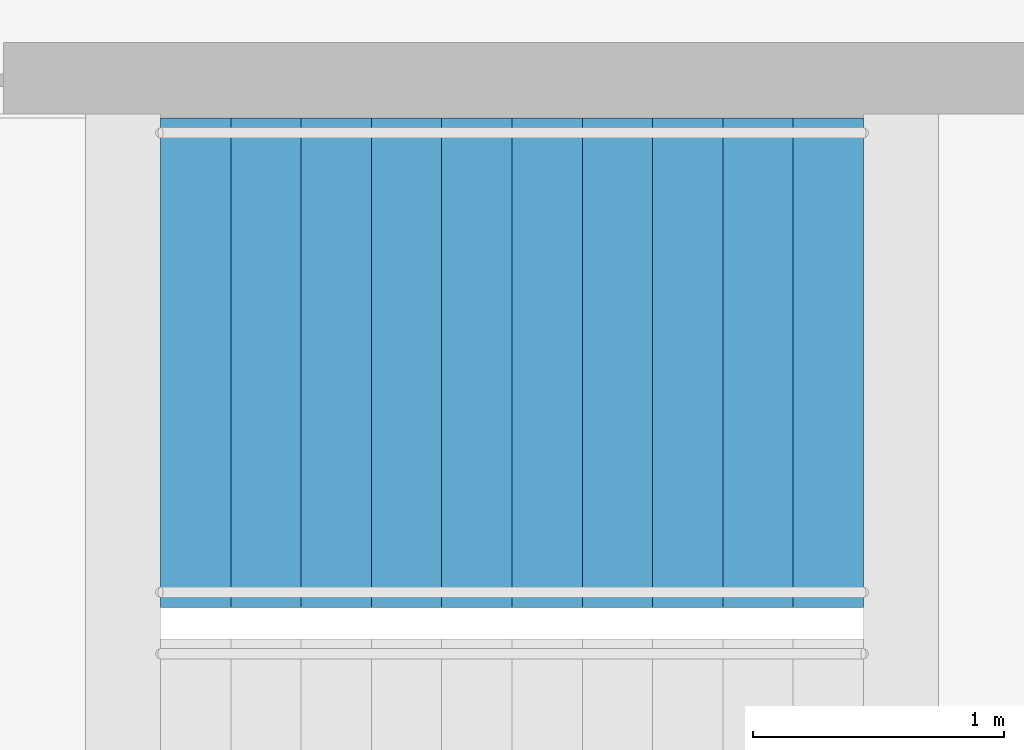
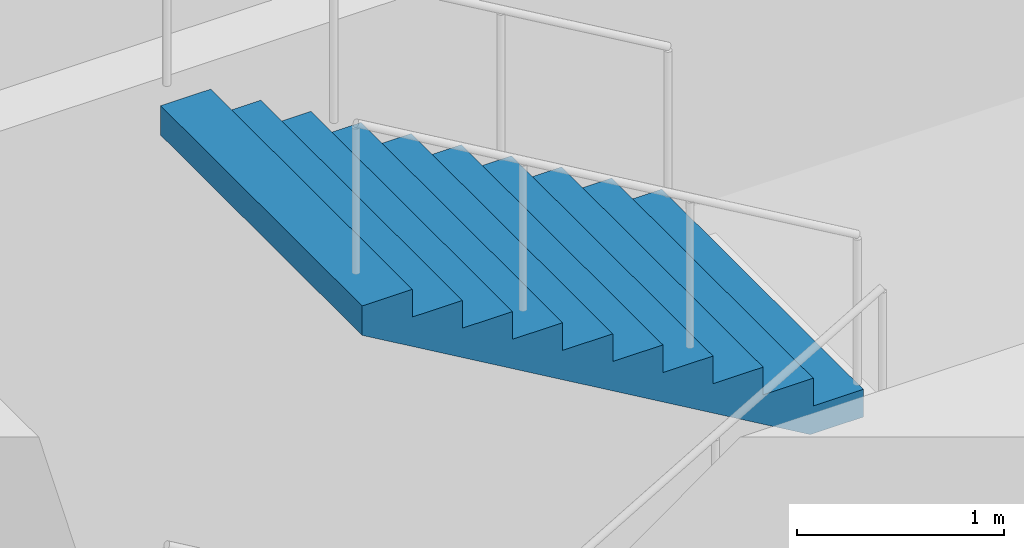
# One storey, part 17 of 22: 1 stair flight, 1 element without a shape of its own.
"""IFC4 building model written with IfcOpenShell, lengths in metres."""

from ifc_helpers import new_model, si_unit, direction, frame, origin, place, context, subcontext, project, spatial, triangles, material, type_object, element, aggregate, save


model = new_model("IFC4")

# Units and contexts
model_context = context("Model", 3, precision=1e-05, world=origin(), true_north=direction((0.0, 1.0)))
body_context = subcontext(model_context, "Body", "Model", "MODEL_VIEW")
ifc_project = project(units=[si_unit("LENGTHUNIT", "METRE"), si_unit("AREAUNIT", "SQUARE_METRE"), si_unit("VOLUMEUNIT", "CUBIC_METRE"), si_unit("PLANEANGLEUNIT", "RADIAN"), si_unit("MASSUNIT", "GRAM", prefix="KILO")], contexts=[model_context])

# Site, building, storey
site_placement = place(None, origin())
site = spatial("IfcSite", under=ifc_project, at=site_placement, CompositionType="ELEMENT")
building_placement = place(site_placement, origin())
building = spatial("IfcBuilding", under=site, at=building_placement, Name="Orbita Commons", CompositionType="ELEMENT")
storey_placement = place(building_placement, frame((0.0, 0.0, 201.10009765625)))
storey = spatial("IfcBuildingStorey", under=building, at=storey_placement, Name="L50", CompositionType="ELEMENT", Elevation=201.10009765625)

# Stair, stair flight
ifc_material_1 = material(Name="Precast concrete C40/50", Category="concrete")
stair_type = type_object("IfcStairType", Name="Exit stair S1 4 flights 11 risers 164", PredefinedType="HALF_TURN_STAIR", material=ifc_material_1)
stair_placement = place(storey_placement, origin())
stair = element("IfcStair", 1, at=stair_placement, inside=storey, type_object=stair_type, Name="Exit stair S1 L50", PredefinedType="HALF_TURN_STAIR")
ifc_material_2 = material(Name="Precast concrete C40/50", Category="concrete")
stair_flight_type = type_object("IfcStairFlightType", Name="Stair flight 11 risers 164 x 280", PredefinedType="STRAIGHT", material=ifc_material_2)
stair_flight_placement = place(storey_placement, frame((23.25, 29.27490234375, 5.39990234375), z_axis=(0.0, 0.0, 1.0), x_axis=(-1.0, 0.0, 0.0)))
stair_flight = element("IfcStairFlight", 2, at=stair_flight_placement, type_object=stair_flight_type, Name="S1 flight 4", NumberOfRisers=11, NumberOfTreads=10, PredefinedType="STRAIGHT", RiserHeight=0.163636364, TreadLength=0.28, context=body_context, shape_type="Tessellation", body=[
    triangles([(0.0, 0.974976, 0.0), (0.0, 0.974976, 0.020455), (0.0, 0.81248, 0.020455), (0.0, 0.81248, 0.0), (0.0, 0.649984, 0.020455), (0.0, 0.649984, 0.0), (0.0, 0.487488, 0.020455), (0.0, 0.487488, 0.0), (0.0, 0.324992, 0.020455), (0.0, 0.324992, 0.0), (0.0, 0.162496, 0.020455), (0.0, 0.162496, 0.0), (0.0, 0.0, 0.020455), (0.0, 0.0, 0.0), (0.0, -0.162496, 0.020455), (0.0, -0.162496, 0.0), (0.0, -0.324992, 0.020455), (0.0, -0.324992, 0.0), (0.0, -0.487488, 0.020455), (0.0, -0.487488, 0.0), (0.0, -0.649984, 0.020455), (0.0, -0.649984, 0.0), (0.0, -0.81248, 0.020455), (0.0, -0.81248, 0.0), (0.0, -0.974976, 0.020455), (0.0, -0.974976, 0.0), (0.0, 0.974976, 0.040909), (0.0, 0.81248, 0.040909), (0.0, 0.649984, 0.040909), (0.0, 0.487488, 0.040909), (0.0, 0.324992, 0.040909), (0.0, 0.162496, 0.040909), (0.0, 0.0, 0.040909), (0.0, -0.162496, 0.040909), (0.0, -0.324992, 0.040909), (0.0, -0.487488, 0.040909), (0.0, -0.649984, 0.040909), (0.0, -0.81248, 0.040909), (0.0, -0.974976, 0.040909), (0.0, 0.974976, 0.061364), (0.0, 0.81248, 0.061364), (0.0, 0.649984, 0.061364), (0.0, 0.487488, 0.061364), (0.0, 0.324992, 0.061364), (0.0, 0.162496, 0.061364), (0.0, 0.0, 0.061364), (0.0, -0.162496, 0.061364), (0.0, -0.324992, 0.061364), (0.0, -0.487488, 0.061364), (0.0, -0.649984, 0.061364), (0.0, -0.81248, 0.061364), (0.0, -0.974976, 0.061364), (0.0, 0.974976, 0.081818), (0.0, 0.81248, 0.081818), (0.0, 0.649984, 0.081818), (0.0, 0.487488, 0.081818), (0.0, 0.324992, 0.081818), (0.0, 0.162496, 0.081818), (0.0, 0.0, 0.081818), (0.0, -0.162496, 0.081818), (0.0, -0.324992, 0.081818), (0.0, -0.487488, 0.081818), (0.0, -0.649984, 0.081818), (0.0, -0.81248, 0.081818), (0.0, -0.974976, 0.081818), (0.0, 0.974976, 0.102273), (0.0, 0.81248, 0.102273), (0.0, 0.649984, 0.102273), (0.0, 0.487488, 0.102273), (0.0, 0.324992, 0.102273), (0.0, 0.162496, 0.102273), (0.0, 0.0, 0.102273), (0.0, -0.162496, 0.102273), (0.0, -0.324992, 0.102273), (0.0, -0.487488, 0.102273), (0.0, -0.649984, 0.102273), (0.0, -0.81248, 0.102273), (0.0, -0.974976, 0.102273), (0.0, 0.974976, 0.122727), (0.0, 0.81248, 0.122727), (0.0, 0.649984, 0.122727), (0.0, 0.487488, 0.122727), (0.0, 0.324992, 0.122727), (0.0, 0.162496, 0.122727), (0.0, 0.0, 0.122727), (0.0, -0.162496, 0.122727), (0.0, -0.324992, 0.122727), (0.0, -0.487488, 0.122727), (0.0, -0.649984, 0.122727), (0.0, -0.81248, 0.122727), (0.0, -0.974976, 0.122727), (0.0, 0.974976, 0.143182), (0.0, 0.81248, 0.143182), (0.0, 0.649984, 0.143182), (0.0, 0.487488, 0.143182), (0.0, 0.324992, 0.143182), (0.0, 0.162496, 0.143182), (0.0, 0.0, 0.143182), (0.0, -0.162496, 0.143182), (0.0, -0.324992, 0.143182), (0.0, -0.487488, 0.143182), (0.0, -0.649984, 0.143182), (0.0, -0.81248, 0.143182), (0.0, -0.974976, 0.143182), (0.0, 0.974976, 0.163636), (0.0, 0.81248, 0.163636), (0.0, 0.649984, 0.163636), (0.0, 0.487488, 0.163636), (0.0, 0.324992, 0.163636), (0.0, 0.162496, 0.163636), (0.0, 0.0, 0.163636), (0.0, -0.162496, 0.163636), (0.0, -0.324992, 0.163636), (0.0, -0.487488, 0.163636), (0.0, -0.649984, 0.163636), (0.0, -0.81248, 0.163636), (0.0, -0.974976, 0.163636), (0.28, 0.974976, 0.163636), (0.28, 0.81248, 0.163636), (0.28, 0.649984, 0.163636), (0.28, 0.487488, 0.163636), (0.28, 0.324992, 0.163636), (0.28, 0.162496, 0.163636), (0.28, 0.0, 0.163636), (0.28, -0.162496, 0.163636), (0.28, -0.324992, 0.163636), (0.28, -0.487488, 0.163636), (0.28, -0.649984, 0.163636), (0.28, -0.81248, 0.163636), (0.28, -0.974976, 0.163636), (0.28, 0.974976, 0.327273), (0.28, 0.81248, 0.327273), (0.28, 0.649984, 0.327273), (0.28, 0.487488, 0.327273), (0.28, 0.324992, 0.327273), (0.28, 0.162496, 0.327273), (0.28, 0.0, 0.327273), (0.28, -0.162496, 0.327273), (0.28, -0.324992, 0.327273), (0.28, -0.487488, 0.327273), (0.28, -0.649984, 0.327273), (0.28, -0.81248, 0.327273), (0.28, -0.974976, 0.327273), (0.56, 0.974976, 0.327273), (0.56, 0.81248, 0.327273), (0.56, 0.649984, 0.327273), (0.56, 0.487488, 0.327273), (0.56, 0.324992, 0.327273), (0.56, 0.162496, 0.327273), (0.56, 0.0, 0.327273), (0.56, -0.162496, 0.327273), (0.56, -0.324992, 0.327273), (0.56, -0.487488, 0.327273), (0.56, -0.649984, 0.327273), (0.56, -0.81248, 0.327273), (0.56, -0.974976, 0.327273), (0.56, 0.974976, 0.490909), (0.56, 0.81248, 0.490909), (0.56, 0.649984, 0.490909), (0.56, 0.487488, 0.490909), (0.56, 0.324992, 0.490909), (0.56, 0.162496, 0.490909), (0.56, 0.0, 0.490909), (0.56, -0.162496, 0.490909), (0.56, -0.324992, 0.490909), (0.56, -0.487488, 0.490909), (0.56, -0.649984, 0.490909), (0.56, -0.81248, 0.490909), (0.56, -0.974976, 0.490909), (0.84, 0.974976, 0.490909), (0.84, 0.81248, 0.490909), (0.84, 0.649984, 0.490909), (0.84, 0.487488, 0.490909), (0.84, 0.324992, 0.490909), (0.84, 0.162496, 0.490909), (0.84, 0.0, 0.490909), (0.84, -0.162496, 0.490909), (0.84, -0.324992, 0.490909), (0.84, -0.487488, 0.490909), (0.84, -0.649984, 0.490909), (0.84, -0.81248, 0.490909), (0.84, -0.974976, 0.490909), (0.84, 0.974976, 0.654545), (0.84, 0.81248, 0.654545), (0.84, 0.649984, 0.654545), (0.84, 0.487488, 0.654545), (0.84, 0.324992, 0.654545), (0.84, 0.162496, 0.654545), (0.84, 0.0, 0.654545), (0.84, -0.162496, 0.654545), (0.84, -0.324992, 0.654545), (0.84, -0.487488, 0.654545), (0.84, -0.649984, 0.654545), (0.84, -0.81248, 0.654545), (0.84, -0.974976, 0.654545), (1.12, 0.974976, 0.654545), (1.12, 0.81248, 0.654545), (1.12, 0.649984, 0.654545), (1.12, 0.487488, 0.654545), (1.12, 0.324992, 0.654545), (1.12, 0.162496, 0.654545), (1.12, 0.0, 0.654545), (1.12, -0.162496, 0.654545), (1.12, -0.324992, 0.654545), (1.12, -0.487488, 0.654545), (1.12, -0.649984, 0.654545), (1.12, -0.81248, 0.654545), (1.12, -0.974976, 0.654545), (1.12, 0.974976, 0.818182), (1.12, 0.81248, 0.818182), (1.12, 0.649984, 0.818182), (1.12, 0.487488, 0.818182), (1.12, 0.324992, 0.818182), (1.12, 0.162496, 0.818182), (1.12, 0.0, 0.818182), (1.12, -0.162496, 0.818182), (1.12, -0.324992, 0.818182), (1.12, -0.487488, 0.818182), (1.12, -0.649984, 0.818182), (1.12, -0.81248, 0.818182), (1.12, -0.974976, 0.818182), (1.4, 0.974976, 0.818182), (1.4, 0.81248, 0.818182), (1.4, 0.649984, 0.818182), (1.4, 0.487488, 0.818182), (1.4, 0.324992, 0.818182), (1.4, 0.162496, 0.818182), (1.4, 0.0, 0.818182), (1.4, -0.162496, 0.818182), (1.4, -0.324992, 0.818182), (1.4, -0.487488, 0.818182), (1.4, -0.649984, 0.818182), (1.4, -0.81248, 0.818182), (1.4, -0.974976, 0.818182), (1.4, 0.974976, 0.981818), (1.4, 0.81248, 0.981818), (1.4, 0.649984, 0.981818), (1.4, 0.487488, 0.981818), (1.4, 0.324992, 0.981818), (1.4, 0.162496, 0.981818), (1.4, 0.0, 0.981818), (1.4, -0.162496, 0.981818), (1.4, -0.324992, 0.981818), (1.4, -0.487488, 0.981818), (1.4, -0.649984, 0.981818), (1.4, -0.81248, 0.981818), (1.4, -0.974976, 0.981818), (1.68, 0.974976, 0.981818), (1.68, 0.81248, 0.981818), (1.68, 0.649984, 0.981818), (1.68, 0.487488, 0.981818), (1.68, 0.324992, 0.981818), (1.68, 0.162496, 0.981818), (1.68, 0.0, 0.981818), (1.68, -0.162496, 0.981818), (1.68, -0.324992, 0.981818), (1.68, -0.487488, 0.981818), (1.68, -0.649984, 0.981818), (1.68, -0.81248, 0.981818), (1.68, -0.974976, 0.981818), (1.68, 0.974976, 1.145455), (1.68, 0.81248, 1.145455), (1.68, 0.649984, 1.145455), (1.68, 0.487488, 1.145455), (1.68, 0.324992, 1.145455), (1.68, 0.162496, 1.145455), (1.68, 0.0, 1.145455), (1.68, -0.162496, 1.145455), (1.68, -0.324992, 1.145455), (1.68, -0.487488, 1.145455), (1.68, -0.649984, 1.145455), (1.68, -0.81248, 1.145455), (1.68, -0.974976, 1.145455), (1.96, 0.974976, 1.145455), (1.96, 0.81248, 1.145455), (1.96, 0.649984, 1.145455), (1.96, 0.487488, 1.145455), (1.96, 0.324992, 1.145455), (1.96, 0.162496, 1.145455), (1.96, 0.0, 1.145455), (1.96, -0.162496, 1.145455), (1.96, -0.324992, 1.145455), (1.96, -0.487488, 1.145455), (1.96, -0.649984, 1.145455), (1.96, -0.81248, 1.145455), (1.96, -0.974976, 1.145455), (1.96, 0.974976, 1.309091), (1.96, 0.81248, 1.309091), (1.96, 0.649984, 1.309091), (1.96, 0.487488, 1.309091), (1.96, 0.324992, 1.309091), (1.96, 0.162496, 1.309091), (1.96, 0.0, 1.309091), (1.96, -0.162496, 1.309091), (1.96, -0.324992, 1.309091), (1.96, -0.487488, 1.309091), (1.96, -0.649984, 1.309091), (1.96, -0.81248, 1.309091), (1.96, -0.974976, 1.309091), (2.24, 0.974976, 1.309091), (2.24, 0.81248, 1.309091), (2.24, 0.649984, 1.309091), (2.24, 0.487488, 1.309091), (2.24, 0.324992, 1.309091), (2.24, 0.162496, 1.309091), (2.24, 0.0, 1.309091), (2.24, -0.162496, 1.309091), (2.24, -0.324992, 1.309091), (2.24, -0.487488, 1.309091), (2.24, -0.649984, 1.309091), (2.24, -0.81248, 1.309091), (2.24, -0.974976, 1.309091), (2.24, 0.974976, 1.472727), (2.24, 0.81248, 1.472727), (2.24, 0.649984, 1.472727), (2.24, 0.487488, 1.472727), (2.24, 0.324992, 1.472727), (2.24, 0.162496, 1.472727), (2.24, 0.0, 1.472727), (2.24, -0.162496, 1.472727), (2.24, -0.324992, 1.472727), (2.24, -0.487488, 1.472727), (2.24, -0.649984, 1.472727), (2.24, -0.81248, 1.472727), (2.24, -0.974976, 1.472727), (2.52, 0.974976, 1.472727), (2.52, 0.81248, 1.472727), (2.52, 0.649984, 1.472727), (2.52, 0.487488, 1.472727), (2.52, 0.324992, 1.472727), (2.52, 0.162496, 1.472727), (2.52, 0.0, 1.472727), (2.52, -0.162496, 1.472727), (2.52, -0.324992, 1.472727), (2.52, -0.487488, 1.472727), (2.52, -0.649984, 1.472727), (2.52, -0.81248, 1.472727), (2.52, -0.974976, 1.472727), (2.52, 0.974976, 1.636364), (2.52, 0.81248, 1.636364), (2.52, 0.649984, 1.636364), (2.52, 0.487488, 1.636364), (2.52, 0.324992, 1.636364), (2.52, 0.162496, 1.636364), (2.52, 0.0, 1.636364), (2.52, -0.162496, 1.636364), (2.52, -0.324992, 1.636364), (2.52, -0.487488, 1.636364), (2.52, -0.649984, 1.636364), (2.52, -0.81248, 1.636364), (2.52, -0.974976, 1.636364), (2.8, 0.974976, 1.636364), (2.8, 0.81248, 1.636364), (2.8, 0.649984, 1.636364), (2.8, 0.487488, 1.636364), (2.8, 0.324992, 1.636364), (2.8, 0.162496, 1.636364), (2.8, 0.0, 1.636364), (2.8, -0.162496, 1.636364), (2.8, -0.324992, 1.636364), (2.8, -0.487488, 1.636364), (2.8, -0.649984, 1.636364), (2.8, -0.81248, 1.636364), (2.8, -0.974976, 1.636364), (2.8, 0.974976, 1.614661), (2.8, 0.81248, 1.614661), (2.8, 0.649984, 1.614661), (2.8, 0.487488, 1.614661), (2.8, 0.324992, 1.614661), (2.8, 0.162496, 1.614661), (2.8, 0.0, 1.614661), (2.8, -0.162496, 1.614661), (2.8, -0.324992, 1.614661), (2.8, -0.487488, 1.614661), (2.8, -0.649984, 1.614661), (2.8, -0.81248, 1.614661), (2.8, -0.974976, 1.614661), (2.8, 0.974976, 1.592958), (2.8, 0.81248, 1.592958), (2.8, 0.649984, 1.592958), (2.8, 0.487488, 1.592958), (2.8, 0.324992, 1.592958), (2.8, 0.162496, 1.592958), (2.8, 0.0, 1.592958), (2.8, -0.162496, 1.592958), (2.8, -0.324992, 1.592958), (2.8, -0.487488, 1.592958), (2.8, -0.649984, 1.592958), (2.8, -0.81248, 1.592958), (2.8, -0.974976, 1.592958), (2.8, 0.974976, 1.571255), (2.8, 0.81248, 1.571255), (2.8, 0.649984, 1.571255), (2.8, 0.487488, 1.571255), (2.8, 0.324992, 1.571255), (2.8, 0.162496, 1.571255), (2.8, 0.0, 1.571255), (2.8, -0.162496, 1.571255), (2.8, -0.324992, 1.571255), (2.8, -0.487488, 1.571255), (2.8, -0.649984, 1.571255), (2.8, -0.81248, 1.571255), (2.8, -0.974976, 1.571255), (2.8, 0.974976, 1.549551), (2.8, 0.81248, 1.549551), (2.8, 0.649984, 1.549551), (2.8, 0.487488, 1.549551), (2.8, 0.324992, 1.549551), (2.8, 0.162496, 1.549551), (2.8, 0.0, 1.549551), (2.8, -0.162496, 1.549551), (2.8, -0.324992, 1.549551), (2.8, -0.487488, 1.549551), (2.8, -0.649984, 1.549551), (2.8, -0.81248, 1.549551), (2.8, -0.974976, 1.549551), (2.8, 0.974976, 1.527848), (2.8, 0.81248, 1.527848), (2.8, 0.649984, 1.527848), (2.8, 0.487488, 1.527848), (2.8, 0.324992, 1.527848), (2.8, 0.162496, 1.527848), (2.8, 0.0, 1.527848), (2.8, -0.162496, 1.527848), (2.8, -0.324992, 1.527848), (2.8, -0.487488, 1.527848), (2.8, -0.649984, 1.527848), (2.8, -0.81248, 1.527848), (2.8, -0.974976, 1.527848), (2.8, 0.974976, 1.506145), (2.8, 0.81248, 1.506145), (2.8, 0.649984, 1.506145), (2.8, 0.487488, 1.506145), (2.8, 0.324992, 1.506145), (2.8, 0.162496, 1.506145), (2.8, 0.0, 1.506145), (2.8, -0.162496, 1.506145), (2.8, -0.324992, 1.506145), (2.8, -0.487488, 1.506145), (2.8, -0.649984, 1.506145), (2.8, -0.81248, 1.506145), (2.8, -0.974976, 1.506145), (2.8, 0.974976, 1.484442), (2.8, 0.81248, 1.484442), (2.8, 0.649984, 1.484442), (2.8, 0.487488, 1.484442), (2.8, 0.324992, 1.484442), (2.8, 0.162496, 1.484442), (2.8, 0.0, 1.484442), (2.8, -0.162496, 1.484442), (2.8, -0.324992, 1.484442), (2.8, -0.487488, 1.484442), (2.8, -0.649984, 1.484442), (2.8, -0.81248, 1.484442), (2.8, -0.974976, 1.484442), (2.8, 0.974976, 1.462739), (2.8, 0.81248, 1.462739), (2.8, 0.649984, 1.462739), (2.8, 0.487488, 1.462739), (2.8, 0.324992, 1.462739), (2.8, 0.162496, 1.462739), (2.8, 0.0, 1.462739), (2.8, -0.162496, 1.462739), (2.8, -0.324992, 1.462739), (2.8, -0.487488, 1.462739), (2.8, -0.649984, 1.462739), (2.8, -0.81248, 1.462739), (2.8, -0.974976, 1.462739), (0.29709, 0.974976, 0.0), (0.29709, 0.81248, 0.0), (0.29709, 0.649984, 0.0), (0.29709, 0.487488, 0.0), (0.29709, 0.324992, 0.0), (0.29709, 0.162496, 0.0), (0.29709, 0.0, 0.0), (0.29709, -0.162496, 0.0), (0.29709, -0.324992, 0.0), (0.29709, -0.487488, 0.0), (0.29709, -0.649984, 0.0), (0.29709, -0.81248, 0.0), (0.29709, -0.974976, 0.0)], [[3, 2, 1], [4, 3, 1], [5, 3, 4], [6, 5, 4], [7, 5, 6], [8, 7, 6], [9, 7, 8], [10, 9, 8], [11, 9, 10], [12, 11, 10], [13, 11, 12], [14, 13, 12], [15, 13, 14], [16, 15, 14], [17, 15, 16], [18, 17, 16], [19, 17, 18], [20, 19, 18], [21, 19, 20], [22, 21, 20], [23, 21, 22], [24, 23, 22], [25, 23, 24], [26, 25, 24], [28, 27, 2], [3, 28, 2], [29, 28, 3], [5, 29, 3], [30, 29, 5], [7, 30, 5], [31, 30, 7], [9, 31, 7], [32, 31, 9], [11, 32, 9], [33, 32, 11], [13, 33, 11], [34, 33, 13], [15, 34, 13], [35, 34, 15], [17, 35, 15], [36, 35, 17], [19, 36, 17], [37, 36, 19], [21, 37, 19], [38, 37, 21], [23, 38, 21], [39, 38, 23], [25, 39, 23], [41, 40, 27], [28, 41, 27], [42, 41, 28], [29, 42, 28], [43, 42, 29], [30, 43, 29], [44, 43, 30], [31, 44, 30], [45, 44, 31], [32, 45, 31], [46, 45, 32], [33, 46, 32], [47, 46, 33], [34, 47, 33], [48, 47, 34], [35, 48, 34], [49, 48, 35], [36, 49, 35], [50, 49, 36], [37, 50, 36], [51, 50, 37], [38, 51, 37], [52, 51, 38], [39, 52, 38], [54, 53, 40], [41, 54, 40], [55, 54, 41], [42, 55, 41], [56, 55, 42], [43, 56, 42], [57, 56, 43], [44, 57, 43], [58, 57, 44], [45, 58, 44], [59, 58, 45], [46, 59, 45], [60, 59, 46], [47, 60, 46], [61, 60, 47], [48, 61, 47], [62, 61, 48], [49, 62, 48], [63, 62, 49], [50, 63, 49], [64, 63, 50], [51, 64, 50], [65, 64, 51], [52, 65, 51], [67, 66, 53], [54, 67, 53], [68, 67, 54], [55, 68, 54], [69, 68, 55], [56, 69, 55], [70, 69, 56], [57, 70, 56], [71, 70, 57], [58, 71, 57], [72, 71, 58], [59, 72, 58], [73, 72, 59], [60, 73, 59], [74, 73, 60], [61, 74, 60], [75, 74, 61], [62, 75, 61], [76, 75, 62], [63, 76, 62], [77, 76, 63], [64, 77, 63], [78, 77, 64], [65, 78, 64], [80, 79, 66], [67, 80, 66], [81, 80, 67], [68, 81, 67], [82, 81, 68], [69, 82, 68], [83, 82, 69], [70, 83, 69], [84, 83, 70], [71, 84, 70], [85, 84, 71], [72, 85, 71], [86, 85, 72], [73, 86, 72], [87, 86, 73], [74, 87, 73], [88, 87, 74], [75, 88, 74], [89, 88, 75], [76, 89, 75], [90, 89, 76], [77, 90, 76], [91, 90, 77], [78, 91, 77], [93, 92, 79], [80, 93, 79], [94, 93, 80], [81, 94, 80], [95, 94, 81], [82, 95, 81], [96, 95, 82], [83, 96, 82], [97, 96, 83], [84, 97, 83], [98, 97, 84], [85, 98, 84], [99, 98, 85], [86, 99, 85], [100, 99, 86], [87, 100, 86], [101, 100, 87], [88, 101, 87], [102, 101, 88], [89, 102, 88], [103, 102, 89], [90, 103, 89], [104, 103, 90], [91, 104, 90], [106, 105, 92], [93, 106, 92], [107, 106, 93], [94, 107, 93], [108, 107, 94], [95, 108, 94], [109, 108, 95], [96, 109, 95], [110, 109, 96], [97, 110, 96], [111, 110, 97], [98, 111, 97], [112, 111, 98], [99, 112, 98], [113, 112, 99], [100, 113, 99], [114, 113, 100], [101, 114, 100], [115, 114, 101], [102, 115, 101], [116, 115, 102], [103, 116, 102], [117, 116, 103], [104, 117, 103], [119, 118, 105], [106, 119, 105], [120, 119, 106], [107, 120, 106], [121, 120, 107], [108, 121, 107], [122, 121, 108], [109, 122, 108], [123, 122, 109], [110, 123, 109], [124, 123, 110], [111, 124, 110], [125, 124, 111], [112, 125, 111], [126, 125, 112], [113, 126, 112], [127, 126, 113], [114, 127, 113], [128, 127, 114], [115, 128, 114], [129, 128, 115], [116, 129, 115], [130, 129, 116], [117, 130, 116], [132, 131, 118], [119, 132, 118], [133, 132, 119], [120, 133, 119], [134, 133, 120], [121, 134, 120], [135, 134, 121], [122, 135, 121], [136, 135, 122], [123, 136, 122], [137, 136, 123], [124, 137, 123], [138, 137, 124], [125, 138, 124], [139, 138, 125], [126, 139, 125], [140, 139, 126], [127, 140, 126], [141, 140, 127], [128, 141, 127], [142, 141, 128], [129, 142, 128], [143, 142, 129], [130, 143, 129], [145, 144, 131], [132, 145, 131], [146, 145, 132], [133, 146, 132], [147, 146, 133], [134, 147, 133], [148, 147, 134], [135, 148, 134], [149, 148, 135], [136, 149, 135], [150, 149, 136], [137, 150, 136], [151, 150, 137], [138, 151, 137], [152, 151, 138], [139, 152, 138], [153, 152, 139], [140, 153, 139], [154, 153, 140], [141, 154, 140], [155, 154, 141], [142, 155, 141], [156, 155, 142], [143, 156, 142], [158, 157, 144], [145, 158, 144], [159, 158, 145], [146, 159, 145], [160, 159, 146], [147, 160, 146], [161, 160, 147], [148, 161, 147], [162, 161, 148], [149, 162, 148], [163, 162, 149], [150, 163, 149], [164, 163, 150], [151, 164, 150], [165, 164, 151], [152, 165, 151], [166, 165, 152], [153, 166, 152], [167, 166, 153], [154, 167, 153], [168, 167, 154], [155, 168, 154], [169, 168, 155], [156, 169, 155], [171, 170, 157], [158, 171, 157], [172, 171, 158], [159, 172, 158], [173, 172, 159], [160, 173, 159], [174, 173, 160], [161, 174, 160], [175, 174, 161], [162, 175, 161], [176, 175, 162], [163, 176, 162], [177, 176, 163], [164, 177, 163], [178, 177, 164], [165, 178, 164], [179, 178, 165], [166, 179, 165], [180, 179, 166], [167, 180, 166], [181, 180, 167], [168, 181, 167], [182, 181, 168], [169, 182, 168], [184, 183, 170], [171, 184, 170], [185, 184, 171], [172, 185, 171], [186, 185, 172], [173, 186, 172], [187, 186, 173], [174, 187, 173], [188, 187, 174], [175, 188, 174], [189, 188, 175], [176, 189, 175], [190, 189, 176], [177, 190, 176], [191, 190, 177], [178, 191, 177], [192, 191, 178], [179, 192, 178], [193, 192, 179], [180, 193, 179], [194, 193, 180], [181, 194, 180], [195, 194, 181], [182, 195, 181], [197, 196, 183], [184, 197, 183], [198, 197, 184], [185, 198, 184], [199, 198, 185], [186, 199, 185], [200, 199, 186], [187, 200, 186], [201, 200, 187], [188, 201, 187], [202, 201, 188], [189, 202, 188], [203, 202, 189], [190, 203, 189], [204, 203, 190], [191, 204, 190], [205, 204, 191], [192, 205, 191], [206, 205, 192], [193, 206, 192], [207, 206, 193], [194, 207, 193], [208, 207, 194], [195, 208, 194], [210, 209, 196], [197, 210, 196], [211, 210, 197], [198, 211, 197], [212, 211, 198], [199, 212, 198], [213, 212, 199], [200, 213, 199], [214, 213, 200], [201, 214, 200], [215, 214, 201], [202, 215, 201], [216, 215, 202], [203, 216, 202], [217, 216, 203], [204, 217, 203], [218, 217, 204], [205, 218, 204], [219, 218, 205], [206, 219, 205], [220, 219, 206], [207, 220, 206], [221, 220, 207], [208, 221, 207], [223, 222, 209], [210, 223, 209], [224, 223, 210], [211, 224, 210], [225, 224, 211], [212, 225, 211], [226, 225, 212], [213, 226, 212], [227, 226, 213], [214, 227, 213], [228, 227, 214], [215, 228, 214], [229, 228, 215], [216, 229, 215], [230, 229, 216], [217, 230, 216], [231, 230, 217], [218, 231, 217], [232, 231, 218], [219, 232, 218], [233, 232, 219], [220, 233, 219], [234, 233, 220], [221, 234, 220], [236, 235, 222], [223, 236, 222], [237, 236, 223], [224, 237, 223], [238, 237, 224], [225, 238, 224], [239, 238, 225], [226, 239, 225], [240, 239, 226], [227, 240, 226], [241, 240, 227], [228, 241, 227], [242, 241, 228], [229, 242, 228], [243, 242, 229], [230, 243, 229], [244, 243, 230], [231, 244, 230], [245, 244, 231], [232, 245, 231], [246, 245, 232], [233, 246, 232], [247, 246, 233], [234, 247, 233], [249, 248, 235], [236, 249, 235], [250, 249, 236], [237, 250, 236], [251, 250, 237], [238, 251, 237], [252, 251, 238], [239, 252, 238], [253, 252, 239], [240, 253, 239], [254, 253, 240], [241, 254, 240], [255, 254, 241], [242, 255, 241], [256, 255, 242], [243, 256, 242], [257, 256, 243], [244, 257, 243], [258, 257, 244], [245, 258, 244], [259, 258, 245], [246, 259, 245], [260, 259, 246], [247, 260, 246], [262, 261, 248], [249, 262, 248], [263, 262, 249], [250, 263, 249], [264, 263, 250], [251, 264, 250], [265, 264, 251], [252, 265, 251], [266, 265, 252], [253, 266, 252], [267, 266, 253], [254, 267, 253], [268, 267, 254], [255, 268, 254], [269, 268, 255], [256, 269, 255], [270, 269, 256], [257, 270, 256], [271, 270, 257], [258, 271, 257], [272, 271, 258], [259, 272, 258], [273, 272, 259], [260, 273, 259], [275, 274, 261], [262, 275, 261], [276, 275, 262], [263, 276, 262], [277, 276, 263], [264, 277, 263], [278, 277, 264], [265, 278, 264], [279, 278, 265], [266, 279, 265], [280, 279, 266], [267, 280, 266], [281, 280, 267], [268, 281, 267], [282, 281, 268], [269, 282, 268], [283, 282, 269], [270, 283, 269], [284, 283, 270], [271, 284, 270], [285, 284, 271], [272, 285, 271], [286, 285, 272], [273, 286, 272], [288, 287, 274], [275, 288, 274], [289, 288, 275], [276, 289, 275], [290, 289, 276], [277, 290, 276], [291, 290, 277], [278, 291, 277], [292, 291, 278], [279, 292, 278], [293, 292, 279], [280, 293, 279], [294, 293, 280], [281, 294, 280], [295, 294, 281], [282, 295, 281], [296, 295, 282], [283, 296, 282], [297, 296, 283], [284, 297, 283], [298, 297, 284], [285, 298, 284], [299, 298, 285], [286, 299, 285], [301, 300, 287], [288, 301, 287], [302, 301, 288], [289, 302, 288], [303, 302, 289], [290, 303, 289], [304, 303, 290], [291, 304, 290], [305, 304, 291], [292, 305, 291], [306, 305, 292], [293, 306, 292], [307, 306, 293], [294, 307, 293], [308, 307, 294], [295, 308, 294], [309, 308, 295], [296, 309, 295], [310, 309, 296], [297, 310, 296], [311, 310, 297], [298, 311, 297], [312, 311, 298], [299, 312, 298], [314, 313, 300], [301, 314, 300], [315, 314, 301], [302, 315, 301], [316, 315, 302], [303, 316, 302], [317, 316, 303], [304, 317, 303], [318, 317, 304], [305, 318, 304], [319, 318, 305], [306, 319, 305], [320, 319, 306], [307, 320, 306], [321, 320, 307], [308, 321, 307], [322, 321, 308], [309, 322, 308], [323, 322, 309], [310, 323, 309], [324, 323, 310], [311, 324, 310], [325, 324, 311], [312, 325, 311], [327, 326, 313], [314, 327, 313], [328, 327, 314], [315, 328, 314], [329, 328, 315], [316, 329, 315], [330, 329, 316], [317, 330, 316], [331, 330, 317], [318, 331, 317], [332, 331, 318], [319, 332, 318], [333, 332, 319], [320, 333, 319], [334, 333, 320], [321, 334, 320], [335, 334, 321], [322, 335, 321], [336, 335, 322], [323, 336, 322], [337, 336, 323], [324, 337, 323], [338, 337, 324], [325, 338, 324], [340, 339, 326], [327, 340, 326], [341, 340, 327], [328, 341, 327], [342, 341, 328], [329, 342, 328], [343, 342, 329], [330, 343, 329], [344, 343, 330], [331, 344, 330], [345, 344, 331], [332, 345, 331], [346, 345, 332], [333, 346, 332], [347, 346, 333], [334, 347, 333], [348, 347, 334], [335, 348, 334], [349, 348, 335], [336, 349, 335], [350, 349, 336], [337, 350, 336], [351, 350, 337], [338, 351, 337], [353, 352, 339], [340, 353, 339], [354, 353, 340], [341, 354, 340], [355, 354, 341], [342, 355, 341], [356, 355, 342], [343, 356, 342], [357, 356, 343], [344, 357, 343], [358, 357, 344], [345, 358, 344], [359, 358, 345], [346, 359, 345], [360, 359, 346], [347, 360, 346], [361, 360, 347], [348, 361, 347], [362, 361, 348], [349, 362, 348], [363, 362, 349], [350, 363, 349], [364, 363, 350], [351, 364, 350], [366, 365, 352], [353, 366, 352], [367, 366, 353], [354, 367, 353], [368, 367, 354], [355, 368, 354], [369, 368, 355], [356, 369, 355], [370, 369, 356], [357, 370, 356], [371, 370, 357], [358, 371, 357], [372, 371, 358], [359, 372, 358], [373, 372, 359], [360, 373, 359], [374, 373, 360], [361, 374, 360], [375, 374, 361], [362, 375, 361], [376, 375, 362], [363, 376, 362], [377, 376, 363], [364, 377, 363], [379, 378, 365], [366, 379, 365], [380, 379, 366], [367, 380, 366], [381, 380, 367], [368, 381, 367], [382, 381, 368], [369, 382, 368], [383, 382, 369], [370, 383, 369], [384, 383, 370], [371, 384, 370], [385, 384, 371], [372, 385, 371], [386, 385, 372], [373, 386, 372], [387, 386, 373], [374, 387, 373], [388, 387, 374], [375, 388, 374], [389, 388, 375], [376, 389, 375], [390, 389, 376], [377, 390, 376], [392, 391, 378], [379, 392, 378], [393, 392, 379], [380, 393, 379], [394, 393, 380], [381, 394, 380], [395, 394, 381], [382, 395, 381], [396, 395, 382], [383, 396, 382], [397, 396, 383], [384, 397, 383], [398, 397, 384], [385, 398, 384], [399, 398, 385], [386, 399, 385], [400, 399, 386], [387, 400, 386], [401, 400, 387], [388, 401, 387], [402, 401, 388], [389, 402, 388], [403, 402, 389], [390, 403, 389], [405, 404, 391], [392, 405, 391], [406, 405, 392], [393, 406, 392], [407, 406, 393], [394, 407, 393], [408, 407, 394], [395, 408, 394], [409, 408, 395], [396, 409, 395], [410, 409, 396], [397, 410, 396], [411, 410, 397], [398, 411, 397], [412, 411, 398], [399, 412, 398], [413, 412, 399], [400, 413, 399], [414, 413, 400], [401, 414, 400], [415, 414, 401], [402, 415, 401], [416, 415, 402], [403, 416, 402], [418, 417, 404], [405, 418, 404], [419, 418, 405], [406, 419, 405], [420, 419, 406], [407, 420, 406], [421, 420, 407], [408, 421, 407], [422, 421, 408], [409, 422, 408], [423, 422, 409], [410, 423, 409], [424, 423, 410], [411, 424, 410], [425, 424, 411], [412, 425, 411], [426, 425, 412], [413, 426, 412], [427, 426, 413], [414, 427, 413], [428, 427, 414], [415, 428, 414], [429, 428, 415], [416, 429, 415], [431, 430, 417], [418, 431, 417], [432, 431, 418], [419, 432, 418], [433, 432, 419], [420, 433, 419], [434, 433, 420], [421, 434, 420], [435, 434, 421], [422, 435, 421], [436, 435, 422], [423, 436, 422], [437, 436, 423], [424, 437, 423], [438, 437, 424], [425, 438, 424], [439, 438, 425], [426, 439, 425], [440, 439, 426], [427, 440, 426], [441, 440, 427], [428, 441, 427], [442, 441, 428], [429, 442, 428], [444, 443, 430], [431, 444, 430], [445, 444, 431], [432, 445, 431], [446, 445, 432], [433, 446, 432], [447, 446, 433], [434, 447, 433], [448, 447, 434], [435, 448, 434], [449, 448, 435], [436, 449, 435], [450, 449, 436], [437, 450, 436], [451, 450, 437], [438, 451, 437], [452, 451, 438], [439, 452, 438], [453, 452, 439], [440, 453, 439], [454, 453, 440], [441, 454, 440], [455, 454, 441], [442, 455, 441], [457, 456, 443], [444, 457, 443], [458, 457, 444], [445, 458, 444], [459, 458, 445], [446, 459, 445], [460, 459, 446], [447, 460, 446], [461, 460, 447], [448, 461, 447], [462, 461, 448], [449, 462, 448], [463, 462, 449], [450, 463, 449], [464, 463, 450], [451, 464, 450], [465, 464, 451], [452, 465, 451], [466, 465, 452], [453, 466, 452], [467, 466, 453], [454, 467, 453], [468, 467, 454], [455, 468, 454], [470, 469, 456], [457, 470, 456], [471, 470, 457], [458, 471, 457], [472, 471, 458], [459, 472, 458], [473, 472, 459], [460, 473, 459], [474, 473, 460], [461, 474, 460], [475, 474, 461], [462, 475, 461], [476, 475, 462], [463, 476, 462], [477, 476, 463], [464, 477, 463], [478, 477, 464], [465, 478, 464], [479, 478, 465], [466, 479, 465], [480, 479, 466], [467, 480, 466], [481, 480, 467], [468, 481, 467], [4, 1, 469], [470, 4, 469], [6, 4, 470], [471, 6, 470], [8, 6, 471], [472, 8, 471], [10, 8, 472], [473, 10, 472], [12, 10, 473], [474, 12, 473], [14, 12, 474], [475, 14, 474], [16, 14, 475], [476, 16, 475], [18, 16, 476], [477, 18, 476], [20, 18, 477], [478, 20, 477], [22, 20, 478], [479, 22, 478], [24, 22, 479], [480, 24, 479], [26, 24, 480], [481, 26, 480], [456, 469, 1], [26, 481, 468], [443, 456, 1], [26, 468, 455], [430, 443, 1], [26, 455, 442], [417, 430, 1], [26, 442, 429], [404, 417, 1], [26, 429, 416], [391, 404, 1], [26, 416, 403], [378, 391, 1], [26, 403, 390], [365, 378, 1], [26, 390, 377], [339, 352, 365], [377, 364, 351], [326, 339, 365], [377, 351, 338], [300, 313, 326], [338, 325, 312], [300, 326, 365], [377, 338, 312], [274, 287, 300], [312, 299, 286], [274, 300, 365], [377, 312, 286], [248, 261, 274], [286, 273, 260], [248, 274, 365], [377, 286, 260], [222, 235, 248], [260, 247, 234], [222, 248, 365], [377, 260, 234], [196, 209, 222], [234, 221, 208], [196, 222, 365], [377, 234, 208], [170, 183, 196], [208, 195, 182], [170, 196, 365], [377, 208, 182], [144, 157, 170], [182, 169, 156], [144, 170, 365], [377, 182, 156], [118, 131, 144], [156, 143, 130], [118, 144, 365], [377, 156, 130], [118, 365, 1], [26, 377, 130], [92, 105, 118], [130, 117, 104], [79, 92, 118], [130, 104, 91], [66, 79, 118], [130, 91, 78], [53, 66, 118], [130, 78, 65], [40, 53, 118], [130, 65, 52], [27, 40, 118], [130, 52, 39], [2, 27, 118], [130, 39, 25], [1, 2, 118], [130, 25, 26]], closed=True),
])
aggregate(stair, [stair_flight])

save(model, "model.ifc")
